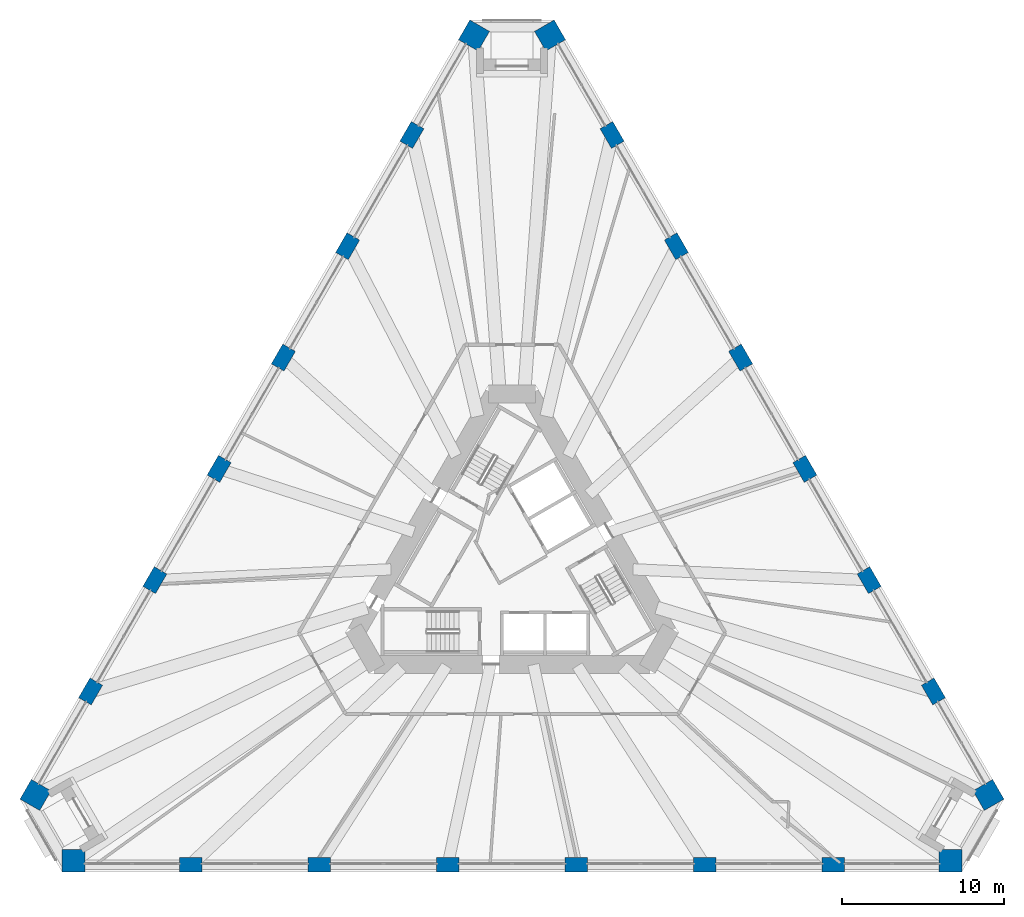
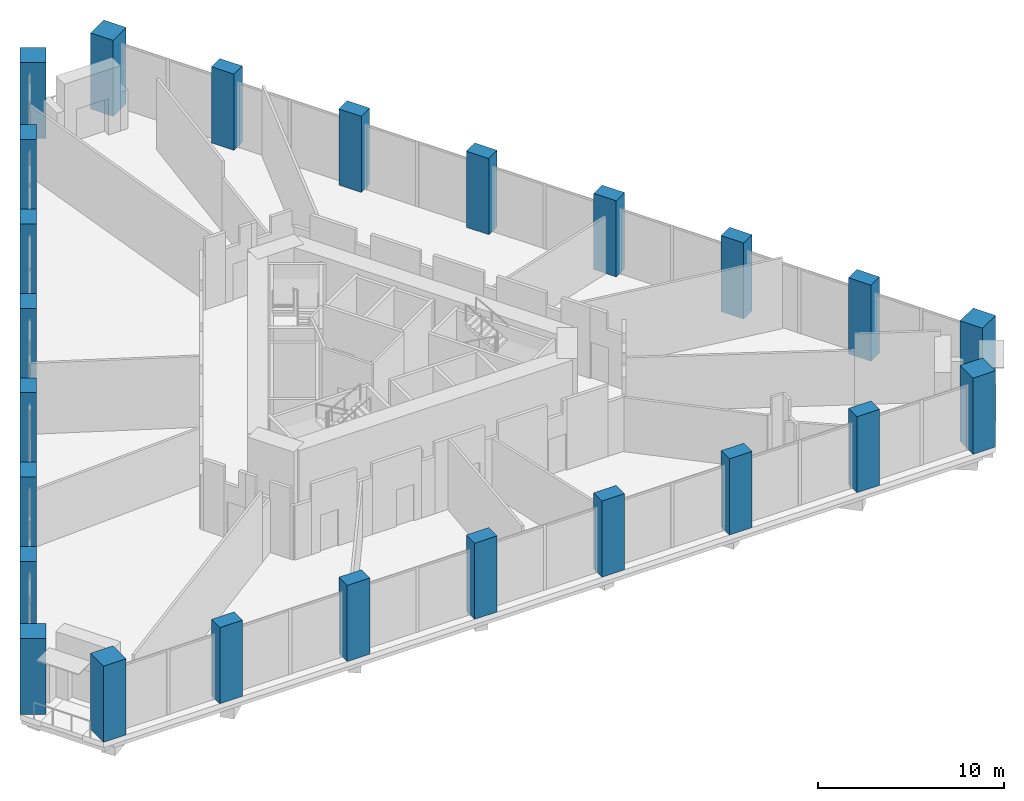
# One storey, part 1 of 20: 24 columns.
"""IFC4 building model written with IfcOpenShell, lengths in metres."""

from ifc_helpers import new_model, si_unit, direction, frame, origin, origin_2d, place, context, subcontext, project, spatial, rectangle, extrude, material, material_profile, profile_set, type_object, element, save


model = new_model("IFC4")

# Units and contexts
model_context = context("Model", 3, precision=1e-05, world=origin(), true_north=direction((0.0, 1.0)))
body_context = subcontext(model_context, "Body", "Model", "MODEL_VIEW")
ifc_project = project(units=[si_unit("LENGTHUNIT", "METRE"), si_unit("AREAUNIT", "SQUARE_METRE"), si_unit("VOLUMEUNIT", "CUBIC_METRE"), si_unit("PLANEANGLEUNIT", "RADIAN"), si_unit("MASSUNIT", "GRAM", prefix="KILO")], contexts=[model_context])

# Site, building, storey
site_placement = place(None, origin())
site = spatial("IfcSite", under=ifc_project, at=site_placement, CompositionType="ELEMENT")
building_placement = place(site_placement, origin())
building = spatial("IfcBuilding", under=site, at=building_placement, Name="Tramontana Tower", CompositionType="ELEMENT")
storey_placement = place(building_placement, frame((0.0, 0.0, 20.0)))
storey = spatial("IfcBuildingStorey", under=building, at=storey_placement, Name="L03", CompositionType="ELEMENT", Elevation=20.0)

# Columns
ifc_material_1 = material(Name="Concrete 70 MPa", Category="concrete")
ifc_material_profile_1 = material_profile(ifc_material_1, rectangle(XDim=1.39990234375, YDim=1.39990234375, at=origin_2d()), Name="Mega column 1400X1400 70 MPa")
ifc_profile_set_1 = profile_set([ifc_material_profile_1], Name="Concrete 70 MPa")
column_type_1 = type_object("IfcColumnType", Name="Mega column 1400X1400 70 MPa", PredefinedType="COLUMN", material=ifc_profile_set_1)
for number, where, z_axis, x_axis, name in (
    (1, (-2.341796875, 32.543701171875, 0.0), (0.0, 0.0, 1.0), (-0.5, -0.866025403784, 0.0), "Mega column C0K1 L03"),
    (2, (-29.354736328125, -14.243896484375, 0.0), (0.0, 0.0, 1.0), (-0.5, -0.866025403784, 0.0), "Mega column C0K2 L03"),
    (3, (-27.0126953125, -18.300048828125, 0.0), (0.0, 0.0, 1.0), (1.0, 0.0, 0.0), "Mega column C0K3 L03"),
    (4, (27.0126953125, -18.300048828125, 0.0), (0.0, 0.0, 1.0), (1.0, 0.0, 0.0), "Mega column C0K4 L03"),
    (5, (29.354736328125, -14.243896484375, 0.0), (0.0, 0.0, 1.0), (-0.5, 0.866025403784, 0.0), "Mega column C0K5 L03"),
    (6, (2.341796875, 32.543701171875, 0.0), (0.0, 0.0, 1.0), (-0.5, 0.866025403784, 0.0), "Mega column C0K6 L03"),
):
    element("IfcColumn", number, at=place(storey_placement, frame(where, z_axis=z_axis, x_axis=x_axis)), inside=storey, type_object=column_type_1, Name=name, PredefinedType="COLUMN", context=body_context, shape_type="SweptSolid", body=[
        extrude(rectangle(XDim=1.39990234375, YDim=1.39990234375, at=origin_2d()), origin(), (0.0, 0.0, 1.0), 5.0),
    ])
ifc_material_2 = material(Name="Concrete 55 MPa", Category="concrete")
ifc_material_profile_2 = material_profile(ifc_material_2, rectangle(XDim=1.39990234375, YDim=0.89990234375, at=origin_2d()), Name="Pier column 1400X900 55 MPa")
ifc_profile_set_2 = profile_set([ifc_material_profile_2], Name="Concrete 55 MPa")
column_type_2 = type_object("IfcColumnType", Name="Pier column 1400X900 55 MPa", PredefinedType="COLUMN", material=ifc_profile_set_2)
for number, where, z_axis, x_axis, name in (
    (7, (-6.167236328125, 26.41796875, 0.0), (0.0, 0.0, 1.0), (-0.5, -0.866025403784, 0.0), "Pier column C0F01 L03"),
    (8, (-10.126220703125, 19.560791015625, 0.0), (0.0, 0.0, 1.0), (-0.5, -0.866025403784, 0.0), "Pier column C0F02 L03"),
    (9, (-14.085205078125, 12.70361328125, 0.0), (0.0, 0.0, 1.0), (-0.5, -0.866025403784, 0.0), "Pier column C0F03 L03"),
    (10, (-18.044189453125, 5.846435546875, 0.0), (0.0, 0.0, 1.0), (-0.5, -0.866025403784, 0.0), "Pier column C0F04 L03"),
    (11, (-22.003173828125, -1.0107421875, 0.0), (0.0, 0.0, 1.0), (-0.5, -0.866025403784, 0.0), "Pier column C0F05 L03"),
    (12, (-25.962158203125, -7.867919921875, 0.0), (0.0, 0.0, 1.0), (-0.5, -0.866025403784, 0.0), "Pier column C0F06 L03"),
    (13, (-19.794921875, -18.550048828125, 0.0), (0.0, 0.0, 1.0), (1.0, 0.0, 0.0), "Pier column C0F07 L03"),
    (14, (-11.876953125, -18.550048828125, 0.0), (0.0, 0.0, 1.0), (1.0, 0.0, 0.0), "Pier column C0F08 L03"),
    (15, (-3.958984375, -18.550048828125, 0.0), (0.0, 0.0, 1.0), (1.0, 0.0, 0.0), "Pier column C0F09 L03"),
    (16, (3.958984375, -18.550048828125, 0.0), (0.0, 0.0, 1.0), (1.0, 0.0, 0.0), "Pier column C0F10 L03"),
    (17, (11.876953125, -18.550048828125, 0.0), (0.0, 0.0, 1.0), (1.0, 0.0, 0.0), "Pier column C0F11 L03"),
    (18, (19.794921875, -18.550048828125, 0.0), (0.0, 0.0, 1.0), (1.0, 0.0, 0.0), "Pier column C0F12 L03"),
    (19, (25.962158203125, -7.867919921875, 0.0), (0.0, 0.0, 1.0), (-0.5, 0.866025403784, 0.0), "Pier column C0F13 L03"),
    (20, (22.003173828125, -1.0107421875, 0.0), (0.0, 0.0, 1.0), (-0.5, 0.866025403784, 0.0), "Pier column C0F14 L03"),
    (21, (18.044189453125, 5.846435546875, 0.0), (0.0, 0.0, 1.0), (-0.5, 0.866025403784, 0.0), "Pier column C0F15 L03"),
    (22, (14.085205078125, 12.70361328125, 0.0), (0.0, 0.0, 1.0), (-0.5, 0.866025403784, 0.0), "Pier column C0F16 L03"),
    (23, (10.126220703125, 19.560791015625, 0.0), (0.0, 0.0, 1.0), (-0.5, 0.866025403784, 0.0), "Pier column C0F17 L03"),
    (24, (6.167236328125, 26.41796875, 0.0), (0.0, 0.0, 1.0), (-0.5, 0.866025403784, 0.0), "Pier column C0F18 L03"),
):
    element("IfcColumn", number, at=place(storey_placement, frame(where, z_axis=z_axis, x_axis=x_axis)), inside=storey, type_object=column_type_2, Name=name, PredefinedType="COLUMN", context=body_context, shape_type="SweptSolid", body=[
        extrude(rectangle(XDim=1.39990234375, YDim=0.89990234375, at=origin_2d()), origin(), (0.0, 0.0, 1.0), 5.0),
    ])

save(model, "model.ifc")
